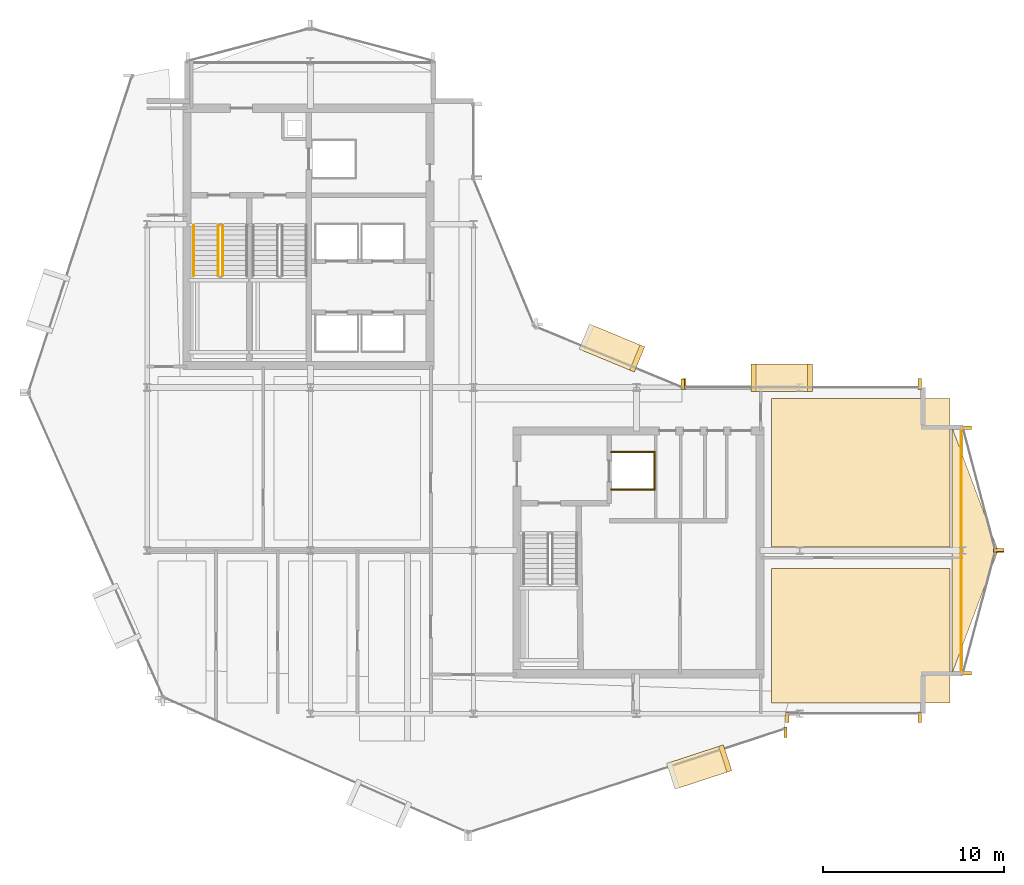
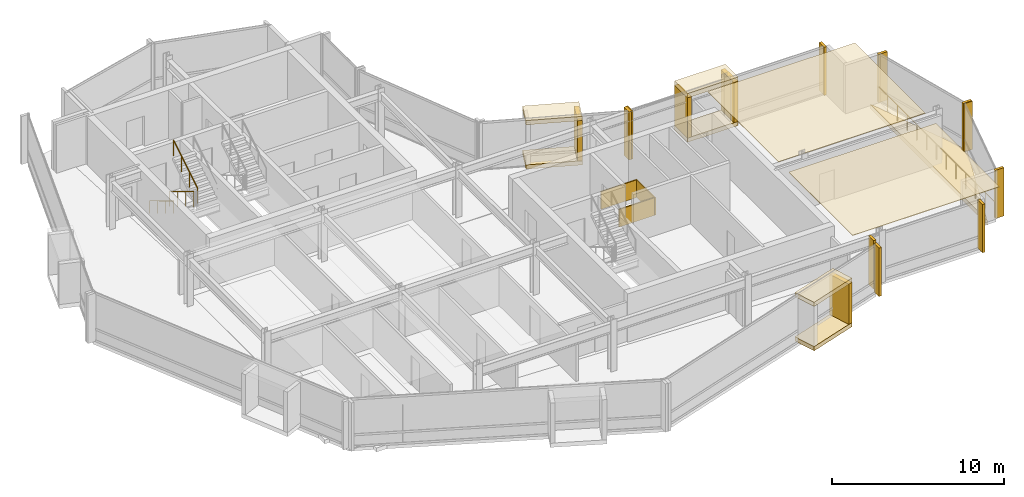
# One storey, part 26 of 27: 26 coverings, 4 railings.
"""IFC4 building model written with IfcOpenShell, lengths in metres."""

from ifc_helpers import new_model, si_unit, direction, frame, origin, origin_2d, place, context, subcontext, project, spatial, polyline, rectangle, circle, outline, extrude, material, layer, layer_set, type_object, element, save


model = new_model("IFC4")

# Units and contexts
model_context = context("Model", 3, precision=1e-05, world=origin(), true_north=direction((0.0, 1.0)))
body_context = subcontext(model_context, "Body", "Model", "MODEL_VIEW")
ifc_project = project(units=[si_unit("LENGTHUNIT", "METRE"), si_unit("AREAUNIT", "SQUARE_METRE"), si_unit("VOLUMEUNIT", "CUBIC_METRE"), si_unit("PLANEANGLEUNIT", "RADIAN"), si_unit("MASSUNIT", "GRAM", prefix="KILO")], contexts=[model_context])

# Site, building, storey
site_placement = place(None, origin())
site = spatial("IfcSite", under=ifc_project, at=site_placement, CompositionType="ELEMENT")
building_placement = place(site_placement, origin())
building = spatial("IfcBuilding", under=site, at=building_placement, Name="Solvaryn Broadcast Tower", CompositionType="ELEMENT")
storey_placement = place(building_placement, frame((0.0, 0.0, 228.39990234375)))
storey = spatial("IfcBuildingStorey", under=building, at=storey_placement, Name="L57", CompositionType="ELEMENT", Elevation=228.39990234375)

# Coverings
ifc_material_1 = material(Name="Micro-Perforated Acoustic Gypsum Ceiling", Category="concrete")
ifc_layer_1 = layer(ifc_material_1, 0.0400390625)
ifc_layer_set_1 = layer_set([ifc_layer_1], Name="CV-CEIL-ACOUSTIC")
covering_type_1 = type_object("IfcCoveringType", Name="CV-CEIL-ACOUSTIC", PredefinedType="CEILING", material=ifc_layer_set_1)
covering_1_placement = place(storey_placement, frame((0.0, 0.0, 3.380126953125)))
element("IfcCovering", 1, at=covering_1_placement, inside=storey, type_object=covering_type_1, Name="L57 Room Acoustic Ceiling 7", PredefinedType="CEILING", context=body_context, shape_type="SweptSolid", body=[
    extrude(outline(polyline([(43.449951171875, 9.60009765625), (53.300048828125, 9.60009765625), (53.300048828125, 17.0), (43.449951171875, 17.0), (43.449951171875, 9.60009765625)])), origin(), (0.0, 0.0, 1.0), 0.0400390625),
])
covering_2_placement = place(storey_placement, frame((0.0, 0.0, 3.380126953125)))
element("IfcCovering", 2, at=covering_2_placement, inside=storey, type_object=covering_type_1, Name="L57 Room Acoustic Ceiling 8", PredefinedType="CEILING", context=body_context, shape_type="SweptSolid", body=[
    extrude(outline(polyline([(43.449951171875, 18.199951171875), (53.300048828125, 18.199951171875), (53.300048828125, 26.39990234375), (43.449951171875, 26.39990234375), (43.449951171875, 18.199951171875)])), origin(), (0.0, 0.0, 1.0), 0.0400390625),
])
ifc_material_2 = material(Name="Fire-Rated Gypsum Shaftwall Liner", Category="concrete")
ifc_layer_2 = layer(ifc_material_2, 0.080078125)
ifc_layer_set_2 = layer_set([ifc_layer_2], Name="CV-SHAFT-LINER")
covering_type_2 = type_object("IfcCoveringType", Name="CV-SHAFT-LINER", PredefinedType="CLADDING", material=ifc_layer_set_2)
for number, where, z_axis, x_axis, name in (
    (3, (35.800048828125, 23.43994140625, 0.0), (0.0, 0.0, 1.0), (1.0, 0.0, 0.0), "L57 FL2 Hoistway Shaft Liner North"),
    (4, (35.800048828125, 21.360107421875, 0.0), (0.0, 0.0, 1.0), (1.0, 0.0, 0.0), "L57 FL2 Hoistway Shaft Liner South"),
):
    element("IfcCovering", number, at=place(storey_placement, frame(where, z_axis=z_axis, x_axis=x_axis)), inside=storey, type_object=covering_type_2, Name=name, PredefinedType="CLADDING", context=body_context, shape_type="SweptSolid", body=[
        extrude(rectangle(XDim=2.4599609375, YDim=0.080078125, at=origin_2d()), origin(), (0.0, 0.0, 1.0), 1.25),
    ])
covering_3_placement = place(storey_placement, frame((36.989990234375, 22.39990234375, 0.0), z_axis=(0.0, 0.0, 1.0), x_axis=(1.0, 0.0, 0.0)))
element("IfcCovering", 5, at=covering_3_placement, inside=storey, type_object=covering_type_2, Name="L57 FL2 Hoistway Shaft Liner East", PredefinedType="CLADDING", context=body_context, shape_type="SweptSolid", body=[
    extrude(rectangle(XDim=0.080078125, YDim=2.159912109375, at=origin_2d()), origin(), (0.0, 0.0, 1.0), 1.25),
])
ifc_material_3 = material(Name="Glazed Architectural Terracotta Rainscreen Cladding", Category="masonry")
ifc_layer_3 = layer(ifc_material_3, 0.280029296875)
ifc_layer_set_3 = layer_set([ifc_layer_3], Name="CV-TC-CLAD")
covering_type_3 = type_object("IfcCoveringType", Name="CV-TC-CLAD", PredefinedType="CLADDING", material=ifc_layer_set_3)
for number, where, z_axis, x_axis, name in (
    (6, (39.4541015625, 6.054931640625, 3.1298828125), (0.0, 0.0, 1.0), (0.950244253402, 0.311505792684, 0.0), "L57 Projecting Stone Window Box Hood 4"),
    (7, (39.4541015625, 6.054931640625, -0.009765625), (0.0, 0.0, 1.0), (0.950244253402, 0.311505792684, 0.0), "L57 Projecting Stone Window Box Sill 4"),
):
    element("IfcCovering", number, at=place(storey_placement, frame(where, z_axis=z_axis, x_axis=x_axis)), inside=storey, type_object=covering_type_3, Name=name, PredefinedType="CLADDING", context=body_context, shape_type="SweptSolid", body=[
        extrude(rectangle(XDim=3.300048828125, YDim=1.5, at=origin_2d()), origin(), (0.0, 0.0, 1.0), 0.300048828125),
    ])
covering_4_placement = place(storey_placement, frame((40.888916015625, 6.525390625, 0.2802734375), z_axis=(0.0, 0.0, 1.0), x_axis=(0.950244253402, 0.311505792684, 0.0)))
element("IfcCovering", 8, at=covering_4_placement, inside=storey, type_object=covering_type_3, Name="L57 Projecting Stone Window Box Cheek 4-2", PredefinedType="CLADDING", context=body_context, shape_type="SweptSolid", body=[
    extrude(rectangle(XDim=0.280029296875, YDim=1.5, at=origin_2d()), origin(), (0.0, 0.0, 1.0), 2.860107421875),
])
for number, where, z_axis, x_axis, name in (
    (9, (34.636962890625, 29.174072265625, 3.1298828125), (0.0, 0.0, 1.0), (-0.923879532511, 0.382683432365, 0.0), "L57 Projecting Stone Window Box Hood 5"),
    (10, (34.636962890625, 29.174072265625, -0.009765625), (0.0, 0.0, 1.0), (-0.923879532511, 0.382683432365, 0.0), "L57 Projecting Stone Window Box Sill 5"),
):
    element("IfcCovering", number, at=place(storey_placement, frame(where, z_axis=z_axis, x_axis=x_axis)), inside=storey, type_object=covering_type_3, Name=name, PredefinedType="CLADDING", context=body_context, shape_type="SweptSolid", body=[
        extrude(rectangle(XDim=3.300048828125, YDim=1.5, at=origin_2d()), origin(), (0.0, 0.0, 1.0), 0.300048828125),
    ])
covering_5_placement = place(storey_placement, frame((36.031982421875, 28.59619140625, 0.2802734375), z_axis=(0.0, 0.0, 1.0), x_axis=(-0.923879532511, 0.382683432365, 0.0)))
element("IfcCovering", 11, at=covering_5_placement, inside=storey, type_object=covering_type_3, Name="L57 Projecting Stone Window Box Cheek 5-1", PredefinedType="CLADDING", context=body_context, shape_type="SweptSolid", body=[
    extrude(rectangle(XDim=0.280029296875, YDim=1.5, at=origin_2d()), origin(), (0.0, 0.0, 1.0), 2.860107421875),
])
for number, where, z_axis, x_axis, name in (
    (12, (44.0, 27.530029296875, 3.1298828125), (0.0, 0.0, 1.0), (1.0, 0.0, 0.0), "L57 Projecting Stone Window Box Hood 6"),
    (13, (44.0, 27.530029296875, -0.009765625), (0.0, 0.0, 1.0), (1.0, 0.0, 0.0), "L57 Projecting Stone Window Box Sill 6"),
):
    element("IfcCovering", number, at=place(storey_placement, frame(where, z_axis=z_axis, x_axis=x_axis)), inside=storey, type_object=covering_type_3, Name=name, PredefinedType="CLADDING", context=body_context, shape_type="SweptSolid", body=[
        extrude(rectangle(XDim=3.39990234375, YDim=1.5, at=origin_2d()), origin(), (0.0, 0.0, 1.0), 0.300048828125),
    ])
for number, where, z_axis, x_axis, name in (
    (14, (42.43994140625, 27.530029296875, 0.2802734375), (0.0, 0.0, 1.0), (1.0, 0.0, 0.0), "L57 Projecting Stone Window Box Cheek 6-1"),
    (15, (45.56005859375, 27.530029296875, 0.2802734375), (0.0, 0.0, 1.0), (1.0, 0.0, 0.0), "L57 Projecting Stone Window Box Cheek 6-2"),
):
    element("IfcCovering", number, at=place(storey_placement, frame(where, z_axis=z_axis, x_axis=x_axis)), inside=storey, type_object=covering_type_3, Name=name, PredefinedType="CLADDING", context=body_context, shape_type="SweptSolid", body=[
        extrude(rectangle(XDim=0.280029296875, YDim=1.5, at=origin_2d()), origin(), (0.0, 0.0, 1.0), 2.860107421875),
    ])
ifc_material_4 = material(Name="Extruded Architectural Terracotta Fin", Category="masonry")
ifc_layer_4 = layer(ifc_material_4, 0.179931640625)
ifc_layer_set_4 = layer_set([ifc_layer_4], Name="CV-TC-FIN")
covering_type_4 = type_object("IfcCoveringType", Name="CV-TC-FIN", PredefinedType="USERDEFINED", material=ifc_layer_set_4)
for number, where, z_axis, x_axis, name in (
    (16, (44.209716796875, 7.982666015625, 0.000244140625), (0.0, 0.0, 1.0), (1.0, 0.0, 0.0), "L57 Terracotta Vertical Fin FIN-L57-DR4-M01"),
    (17, (38.541259765625, 27.177978515625, 0.000244140625), (0.0, 0.0, 1.0), (1.0, 0.0, 0.0), "L57 Terracotta Vertical Fin FIN-L57-CN1-M00"),
    (18, (44.31201171875, 8.8125, 0.000244140625), (0.0, 0.0, 1.0), (1.0, 0.0, 0.0), "L57 Terracotta Vertical Fin FIN-L57-S2-M00"),
    (19, (51.6201171875, 8.8125, 0.000244140625), (0.0, 0.0, 1.0), (1.0, 0.0, 0.0), "L57 Terracotta Vertical Fin FIN-L57-S2-M01"),
):
    element("IfcCovering", number, at=place(storey_placement, frame(where, z_axis=z_axis, x_axis=x_axis)), inside=storey, type_object=covering_type_4, Name=name, ObjectType="FIN", PredefinedType="USERDEFINED", context=body_context, shape_type="SweptSolid", body=[
        extrude(rectangle(XDim=0.179931640625, YDim=0.580078125, at=origin_2d()), origin(), (0.0, 0.0, 1.0), 3.419921875),
    ])
for number, where, z_axis, x_axis, name in (
    (20, (54.1953125, 24.77099609375, 0.000244140625), (0.0, 0.0, 1.0), (1.0, 0.0, 0.0), "L57 Terracotta Vertical Fin FIN-L57-ET1-M00"),
    (21, (55.979736328125, 18.029052734375, 0.000244140625), (0.0, 0.0, 1.0), (1.0, 0.0, 0.0), "L57 Terracotta Vertical Fin FIN-L57-ET1-M01"),
    (22, (55.979736328125, 17.970947265625, 0.000244140625), (0.0, 0.0, 1.0), (1.0, 0.0, 0.0), "L57 Terracotta Vertical Fin FIN-L57-ET2-M00"),
    (23, (54.1953125, 11.22900390625, 0.000244140625), (0.0, 0.0, 1.0), (1.0, 0.0, 0.0), "L57 Terracotta Vertical Fin FIN-L57-ET2-M01"),
):
    element("IfcCovering", number, at=place(storey_placement, frame(where, z_axis=z_axis, x_axis=x_axis)), inside=storey, type_object=covering_type_4, Name=name, ObjectType="FIN", PredefinedType="USERDEFINED", context=body_context, shape_type="SweptSolid", body=[
        extrude(rectangle(XDim=0.580078125, YDim=0.179931640625, at=origin_2d()), origin(), (0.0, 0.0, 1.0), 3.419921875),
    ])
for number, where, z_axis, x_axis, name in (
    (24, (38.6298828125, 27.1875, 0.000244140625), (0.0, 0.0, 1.0), (1.0, 0.0, 0.0), "L57 Terracotta Vertical Fin FIN-L57-IH-M00"),
    (25, (51.6201171875, 27.1875, 0.000244140625), (0.0, 0.0, 1.0), (1.0, 0.0, 0.0), "L57 Terracotta Vertical Fin FIN-L57-IH-M01"),
):
    element("IfcCovering", number, at=place(storey_placement, frame(where, z_axis=z_axis, x_axis=x_axis)), inside=storey, type_object=covering_type_4, Name=name, ObjectType="FIN", PredefinedType="USERDEFINED", context=body_context, shape_type="SweptSolid", body=[
        extrude(rectangle(XDim=0.179931640625, YDim=0.580078125, at=origin_2d()), origin(), (0.0, 0.0, 1.0), 3.419921875),
    ])
ifc_material_5 = material(Name="Sculpted Architectural Terracotta Wave Fascia", Category="masonry")
ifc_layer_5 = layer(ifc_material_5, 0.340087890625)
ifc_layer_set_5 = layer_set([ifc_layer_5], Name="CV-WAVE-TRAY")
covering_type_5 = type_object("IfcCoveringType", Name="CV-WAVE-TRAY", PredefinedType="CLADDING", material=ifc_layer_set_5)
covering_6_placement = place(storey_placement, frame((0.0, 0.0, -0.2998046875)))
element("IfcCovering", 26, at=covering_6_placement, inside=storey, type_object=covering_type_5, Name="L57 East Curved Wing Deck", PredefinedType="CLADDING", context=body_context, shape_type="SweptSolid", body=[
    extrude(outline(polyline([(53.39990234375, 11.199951171875), (55.949951171875, 18.0), (53.39990234375, 24.800048828125), (53.39990234375, 11.199951171875)])), origin(), (0.0, 0.0, 1.0), 0.329833984375),
])

# Railings
ifc_material_6 = material(Name="Painted Steel Stair Well Guard", Category="steel")
railing_type_1 = type_object("IfcRailingType", Name="RL-STAIR-GUARD", PredefinedType="BALUSTRADE", material=ifc_material_6)
railing_1_placement = place(storey_placement, frame((12.909912109375, 35.9599609375, 0.168212890625)))
element("IfcRailing", 27, at=railing_1_placement, inside=storey, type_object=railing_type_1, Name="L57 ST1 stair guard 1", PredefinedType="BALUSTRADE", context=body_context, shape_type="SweptSolid", body=[
    extrude(circle(Radius=0.02392578125, at=origin_2d()), frame((0.0, 0.0, 1.076171875), z_axis=(0.0, -0.857242210791, 0.514913383045), x_axis=(1.0, 0.0, 0.0)), (0.0, 0.0, 1.0), 3.266357421875),
    extrude(circle(Radius=0.02099609375, at=origin_2d()), origin(), (0.0, 0.0, 1.0), 1.052001953125),
    extrude(circle(Radius=0.02099609375, at=origin_2d()), frame((0.0, -0.933349609375, 0.560546875)), (0.0, 0.0, 1.0), 1.052001953125),
    extrude(circle(Radius=0.02099609375, at=origin_2d()), frame((0.0, -1.86669921875, 1.121337890625)), (0.0, 0.0, 1.0), 1.052001953125),
    extrude(circle(Radius=0.02099609375, at=origin_2d()), frame((0.0, -2.800048828125, 1.681884765625)), (0.0, 0.0, 1.0), 1.052001953125),
])
railing_2_placement = place(storey_placement, frame((13.159912109375, 33.159912109375, 2.018310546875)))
element("IfcRailing", 28, at=railing_2_placement, inside=storey, type_object=railing_type_1, Name="L57 ST1 stair guard 3", PredefinedType="BALUSTRADE", context=body_context, shape_type="SweptSolid", body=[
    extrude(circle(Radius=0.02392578125, at=origin_2d()), frame((0.0, 0.0, 1.076171875), z_axis=(0.0, 0.857242210791, 0.514913383045), x_axis=(-1.0, 0.0, 0.0)), (0.0, 0.0, 1.0), 3.266357421875),
    extrude(circle(Radius=0.02099609375, at=origin_2d()), origin(), (0.0, 0.0, 1.0), 1.052001953125),
    extrude(circle(Radius=0.02099609375, at=origin_2d()), frame((0.0, 0.933349609375, 0.560546875)), (0.0, 0.0, 1.0), 1.052001953125),
    extrude(circle(Radius=0.02099609375, at=origin_2d()), frame((0.0, 1.86669921875, 1.121337890625)), (0.0, 0.0, 1.0), 1.052001953125),
    extrude(circle(Radius=0.02099609375, at=origin_2d()), frame((0.0, 2.800048828125, 1.681884765625)), (0.0, 0.0, 1.0), 1.052001953125),
])
ifc_material_7 = material(Name="Brushed Stainless Steel Tubular Handrail", Category="steel")
railing_type_2 = type_object("IfcRailingType", Name="RL-STAIR-HANDRAIL", PredefinedType="HANDRAIL", material=ifc_material_7)
railing_3_placement = place(storey_placement, frame((11.570068359375, 35.9599609375, 0.168212890625)))
element("IfcRailing", 29, at=railing_3_placement, inside=storey, type_object=railing_type_2, Name="L57 ST1 stair handrail 1", PredefinedType="HANDRAIL", context=body_context, shape_type="SweptSolid", body=[
    extrude(circle(Radius=0.02392578125, at=origin_2d()), frame((0.0, 0.0, 0.8759765625), z_axis=(0.0, -0.857242210791, 0.514913383045), x_axis=(1.0, 0.0, 0.0)), (0.0, 0.0, 1.0), 3.266357421875),
    extrude(circle(Radius=0.02099609375, at=origin_2d()), origin(), (0.0, 0.0, 1.0), 0.851806640625),
    extrude(circle(Radius=0.02099609375, at=origin_2d()), frame((0.0, -0.933349609375, 0.560546875)), (0.0, 0.0, 1.0), 0.851806640625),
    extrude(circle(Radius=0.02099609375, at=origin_2d()), frame((0.0, -1.86669921875, 1.121337890625)), (0.0, 0.0, 1.0), 0.851806640625),
    extrude(circle(Radius=0.02099609375, at=origin_2d()), frame((0.0, -2.800048828125, 1.681884765625)), (0.0, 0.0, 1.0), 0.851806640625),
])
ifc_material_8 = material(Name="Stainless Steel and Laminated Glass Guard", Category="steel")
railing_type_3 = type_object("IfcRailingType", Name="RL-TER-1150", PredefinedType="BALUSTRADE", material=ifc_material_8)
railing_4_placement = place(storey_placement, frame((53.919921875, 11.199951171875, 0.0)))
element("IfcRailing", 30, at=railing_4_placement, inside=storey, type_object=railing_type_3, Name="L57 East Wing Spandrel Edge Guard", PredefinedType="BALUSTRADE", context=body_context, shape_type="SweptSolid", body=[
    extrude(circle(Radius=0.02392578125, at=origin_2d()), frame((0.0, 0.0, 1.1259765625), z_axis=(0.0, 1.0, 0.0), x_axis=(-1.0, 0.0, 0.0)), (0.0, 0.0, 1.0), 13.60009765625),
    extrude(circle(Radius=0.02099609375, at=origin_2d()), origin(), (0.0, 0.0, 1.0), 1.101806640625),
    extrude(circle(Radius=0.02099609375, at=origin_2d()), frame((0.0, 1.13330078125, 0.0)), (0.0, 0.0, 1.0), 1.101806640625),
    extrude(circle(Radius=0.02099609375, at=origin_2d()), frame((0.0, 2.2666015625, 0.0)), (0.0, 0.0, 1.0), 1.101806640625),
    extrude(circle(Radius=0.02099609375, at=origin_2d()), frame((0.0, 3.39990234375, 0.0)), (0.0, 0.0, 1.0), 1.101806640625),
    extrude(circle(Radius=0.02099609375, at=origin_2d()), frame((0.0, 4.533447265625, 0.0)), (0.0, 0.0, 1.0), 1.101806640625),
    extrude(circle(Radius=0.02099609375, at=origin_2d()), frame((0.0, 5.666748046875, 0.0)), (0.0, 0.0, 1.0), 1.101806640625),
    extrude(circle(Radius=0.02099609375, at=origin_2d()), frame((0.0, 6.800048828125, 0.0)), (0.0, 0.0, 1.0), 1.101806640625),
    extrude(circle(Radius=0.02099609375, at=origin_2d()), frame((0.0, 7.933349609375, 0.0)), (0.0, 0.0, 1.0), 1.101806640625),
    extrude(circle(Radius=0.02099609375, at=origin_2d()), frame((0.0, 9.066650390625, 0.0)), (0.0, 0.0, 1.0), 1.101806640625),
    extrude(circle(Radius=0.02099609375, at=origin_2d()), frame((0.0, 10.2001953125, 0.0)), (0.0, 0.0, 1.0), 1.101806640625),
    extrude(circle(Radius=0.02099609375, at=origin_2d()), frame((0.0, 11.33349609375, 0.0)), (0.0, 0.0, 1.0), 1.101806640625),
    extrude(circle(Radius=0.02099609375, at=origin_2d()), frame((0.0, 12.466796875, 0.0)), (0.0, 0.0, 1.0), 1.101806640625),
    extrude(circle(Radius=0.02099609375, at=origin_2d()), frame((0.0, 13.60009765625, 0.0)), (0.0, 0.0, 1.0), 1.101806640625),
])

save(model, "model.ifc")
